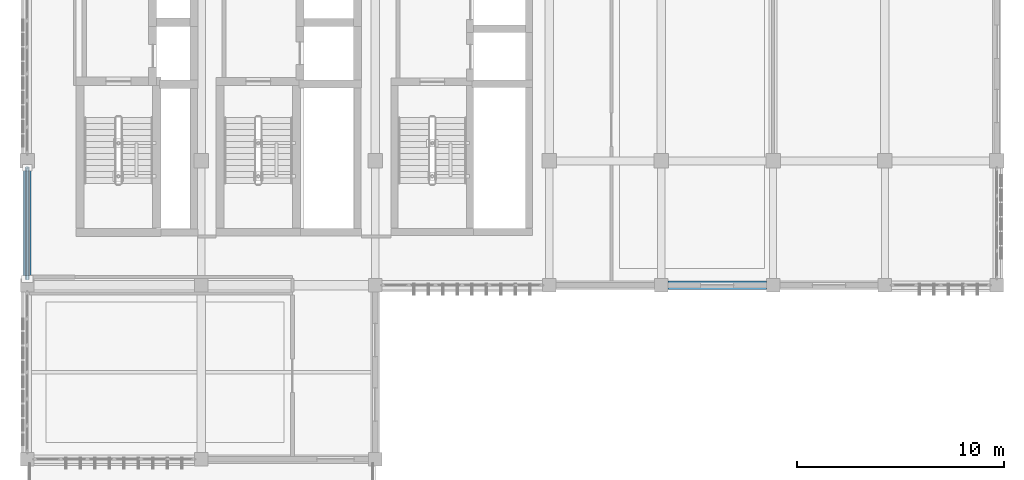
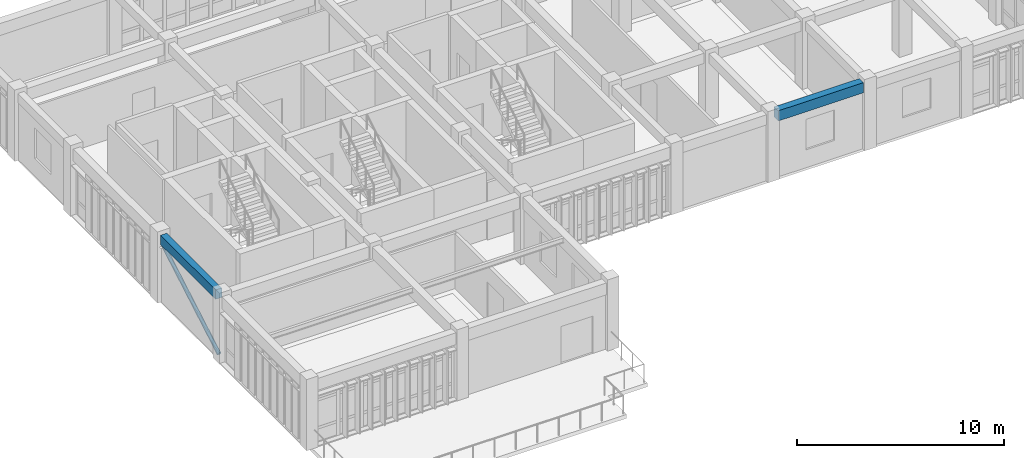
# One storey, part 8 of 23: 2 beams, 1 member.
"""IFC4 building model written with IfcOpenShell, lengths in metres."""

from ifc_helpers import new_model, si_unit, direction, frame, origin, origin_2d, place, context, subcontext, project, spatial, rectangle, hollow_circle, extrude, material, material_profile, profile_set, type_object, element, save


model = new_model("IFC4")

# Units and contexts
model_context = context("Model", 3, precision=1e-05, world=origin(), true_north=direction((0.0, 1.0)))
body_context = subcontext(model_context, "Body", "Model", "MODEL_VIEW")
ifc_project = project(units=[si_unit("LENGTHUNIT", "METRE"), si_unit("AREAUNIT", "SQUARE_METRE"), si_unit("VOLUMEUNIT", "CUBIC_METRE"), si_unit("PLANEANGLEUNIT", "RADIAN"), si_unit("MASSUNIT", "GRAM", prefix="KILO")], contexts=[model_context])

# Site, building, storey
site_placement = place(None, origin())
site = spatial("IfcSite", under=ifc_project, at=site_placement, CompositionType="ELEMENT")
building_placement = place(site_placement, origin())
building = spatial("IfcBuilding", under=site, at=building_placement, Name="Krzemoval Escarpment Law Courts", CompositionType="ELEMENT")
storey_placement = place(building_placement, frame((0.0, 0.0, 25.199951171875)))
storey = spatial("IfcBuildingStorey", under=building, at=storey_placement, Name="L05", CompositionType="ELEMENT", Elevation=25.199951171875)

# Beams
ifc_material_1 = material(Name="Concrete C40/50", Category="concrete")
ifc_material_profile_1 = material_profile(ifc_material_1, rectangle(XDim=0.35009765625, YDim=0.550048828125, at=origin_2d()), Name="RCB 350x550")
ifc_profile_set_1 = profile_set([ifc_material_profile_1], Name="Concrete C40/50")
beam_type_1 = type_object("IfcBeamType", Name="BM-RC-350x550", PredefinedType="BEAM", material=ifc_profile_set_1)
beam_1_placement = place(storey_placement, frame((126.0, 93.925048828125, 3.675048828125), z_axis=(0.0, 1.0, 0.0), x_axis=(-1.0, 0.0, 0.0)))
element("IfcBeam", 1, at=beam_1_placement, inside=storey, type_object=beam_type_1, Name="Beam FG-L05-2598", PredefinedType="BEAM", context=body_context, shape_type="SweptSolid", body=[
    extrude(rectangle(XDim=0.35009765625, YDim=0.550048828125, at=origin_2d()), origin(), (0.0, 0.0, 1.0), 5.324951171875),
])
ifc_material_2 = material(Name="Concrete C40/50", Category="concrete")
ifc_material_profile_2 = material_profile(ifc_material_2, rectangle(XDim=0.39990234375, YDim=0.60009765625, at=origin_2d()), Name="RCB 400x600")
ifc_profile_set_2 = profile_set([ifc_material_profile_2], Name="Concrete C40/50")
beam_type_2 = type_object("IfcBeamType", Name="BM-RC-400x600", PredefinedType="BEAM", material=ifc_profile_set_2)
beam_2_placement = place(storey_placement, frame((156.925048828125, 93.60009765625, 3.650146484375), z_axis=(1.0, 0.0, 0.0), x_axis=(0.0, 1.0, 0.0)))
element("IfcBeam", 2, at=beam_2_placement, inside=storey, type_object=beam_type_2, Name="Beam FG-L05-2572", PredefinedType="BEAM", context=body_context, shape_type="SweptSolid", body=[
    extrude(rectangle(XDim=0.39990234375, YDim=0.60009765625, at=origin_2d()), origin(), (0.0, 0.0, 1.0), 4.75),
])

# Member
ifc_material_3 = material(Name="Steel S355", Category="steel")
ifc_material_profile_3 = material_profile(ifc_material_3, hollow_circle(Radius=0.109619140625, WallThickness=0.010009765625, at=origin_2d()), Name="CHS 219.1x10")
ifc_profile_set_3 = profile_set([ifc_material_profile_3], Name="Steel S355")
member_type = type_object("IfcMemberType", Name="MBR-BRC-CHS219", PredefinedType="BRACE", material=ifc_profile_set_3)
member_placement = place(storey_placement, frame((126.0, 93.89990234375, 0.14013671875), z_axis=(0.0, 0.864165875229, 0.503207054889), x_axis=(-1.0, 0.0, 0.0)))
element("IfcMember", 3, at=member_placement, inside=storey, type_object=member_type, Name="Lateral Diagonal Brace BR-0250", PredefinedType="BRACE", context=body_context, shape_type="SweptSolid", body=[
    extrude(hollow_circle(Radius=0.109619140625, WallThickness=0.010009765625, at=origin_2d()), origin(), (0.0, 0.0, 1.0), 6.219970703125),
])

save(model, "model.ifc")
